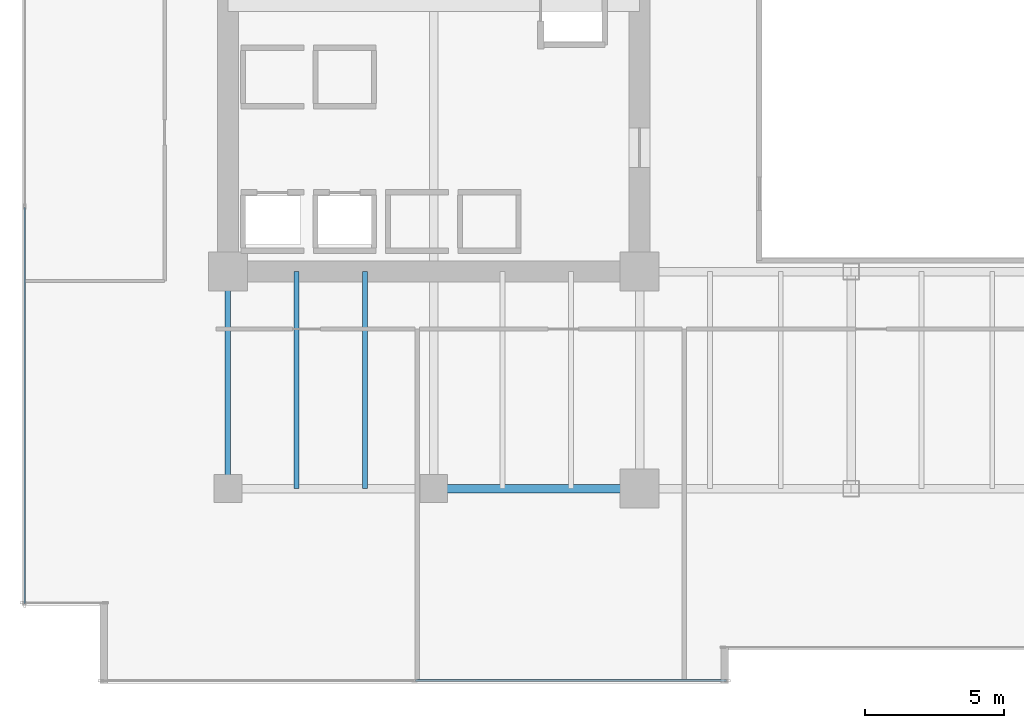
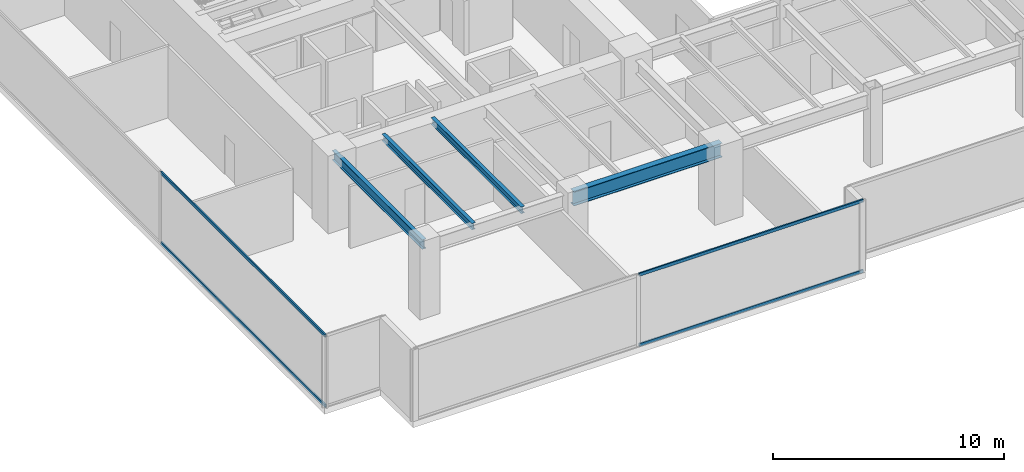
# One storey, part 3 of 35: 4 beams, 4 members, 2 elements without a shape of their own.
"""IFC4 building model written with IfcOpenShell, lengths in metres."""

from ifc_helpers import new_model, si_unit, direction, frame, origin, origin_2d, place, context, subcontext, project, spatial, hollow_rectangle, i_section, extrude, source, transform, mapped, material, layer, layer_set, material_profile, profile_set, type_object, type_shapes, element, aggregate, save


model = new_model("IFC4")

# Units and contexts
model_context = context("Model", 3, precision=1e-05, world=origin(), true_north=direction((0.0, 1.0)))
body_context = subcontext(model_context, "Body", "Model", "MODEL_VIEW")
ifc_project = project(units=[si_unit("LENGTHUNIT", "METRE"), si_unit("AREAUNIT", "SQUARE_METRE"), si_unit("VOLUMEUNIT", "CUBIC_METRE"), si_unit("PLANEANGLEUNIT", "RADIAN"), si_unit("MASSUNIT", "GRAM", prefix="KILO")], contexts=[model_context])

# Site, building, storey
site_placement = place(None, origin())
site = spatial("IfcSite", under=ifc_project, at=site_placement, CompositionType="ELEMENT")
building_placement = place(site_placement, origin())
building = spatial("IfcBuilding", under=site, at=building_placement, Name="Haelvirn Gate Laboratories", CompositionType="ELEMENT")
storey_placement = place(building_placement, frame((0.0, 0.0, 45.699951171875)))
storey = spatial("IfcBuildingStorey", under=building, at=storey_placement, Name="L11", CompositionType="ELEMENT", Elevation=45.699951171875)

# Beams
ifc_material_1 = material(Name="Steel SM355", Category="steel")
ifc_material_profile_1 = material_profile(ifc_material_1, i_section(OverallWidth=0.300048828125, OverallDepth=0.75, WebThickness=0.013916015625, FlangeThickness=0.02392578125, at=origin_2d()), Name="H-750x300x14x24")
ifc_profile_set_1 = profile_set([ifc_material_profile_1], Name="Steel SM355")
beam_type_1 = type_object("IfcBeamType", Name="BM-G-750", PredefinedType="BEAM", material=ifc_profile_set_1)
shared_shape_1 = source(origin(), body_context, "Body", "SweptSolid", [
    extrude(i_section(OverallWidth=0.300048828125, OverallDepth=0.75, WebThickness=0.013916015625, FlangeThickness=0.02392578125, at=origin_2d()), origin(), (0.0, 0.0, 1.0), 7.39990234375),
])
type_shapes(beam_type_1, [shared_shape_1])
beam_1_placement = place(storey_placement, frame((14.800048828125, 7.0, 3.405029296875), z_axis=(1.0, 0.0, 0.0), x_axis=(0.0, 1.0, 0.0)))
element("IfcBeam", 1, at=beam_1_placement, inside=storey, type_object=beam_type_1, Name="L11 Primary Girder Y7.0 (14.8-22.2)", PredefinedType="BEAM", context=body_context, shape_type="MappedRepresentation", body=[
    mapped(shared_shape_1, transform((0.0, 0.0, 0.0), scale=1.0)),
])
ifc_material_profile_2 = material_profile(ifc_material_1, i_section(OverallWidth=0.199951171875, OverallDepth=0.5, WebThickness=0.010009765625, FlangeThickness=0.01611328125, at=origin_2d()), Name="H-500x200x10x16")
ifc_profile_set_2 = profile_set([ifc_material_profile_2], Name="Steel SM355")
beam_type_2 = type_object("IfcBeamType", Name="BM-SP-500", PredefinedType="SPANDREL", material=ifc_profile_set_2)
shared_shape_2 = source(origin(), body_context, "Body", "SweptSolid", [
    extrude(i_section(OverallWidth=0.199951171875, OverallDepth=0.5, WebThickness=0.010009765625, FlangeThickness=0.01611328125, at=origin_2d()), origin(), (0.0, 0.0, 1.0), 7.800048828125),
])
type_shapes(beam_type_2, [shared_shape_2])
beam_2_placement = place(storey_placement, frame((7.39990234375, 7.0, 3.530029296875), z_axis=(0.0, 1.0, 0.0), x_axis=(-1.0, 0.0, 0.0)))
element("IfcBeam", 2, at=beam_2_placement, inside=storey, type_object=beam_type_2, Name="L11 Perimeter Spandrel X7.4 (7.0-14.8)", PredefinedType="SPANDREL", context=body_context, shape_type="MappedRepresentation", body=[
    mapped(shared_shape_2, transform((0.0, 0.0, 0.0), scale=1.0)),
])
ifc_material_profile_3 = material_profile(ifc_material_1, i_section(OverallWidth=0.175048828125, OverallDepth=0.35009765625, WebThickness=0.007080078125, FlangeThickness=0.010986328125, at=origin_2d()), Name="H-350x175x7x11")
ifc_profile_set_3 = profile_set([ifc_material_profile_3], Name="Steel SM355")
beam_type_3 = type_object("IfcBeamType", Name="BM-J-350", PredefinedType="JOIST", material=ifc_profile_set_3)
shared_shape_3 = source(origin(), body_context, "Body", "SweptSolid", [
    extrude(i_section(OverallWidth=0.175048828125, OverallDepth=0.35009765625, WebThickness=0.007080078125, FlangeThickness=0.010986328125, at=origin_2d()), origin(), (0.0, 0.0, 1.0), 7.800048828125),
])
type_shapes(beam_type_3, [shared_shape_3])
for number, where, z_axis, x_axis, name in (
    (3, (9.8701171875, 7.0, 3.60498046875), (0.0, 1.0, 0.0), (-1.0, 0.0, 0.0), "L11 Composite Lab Joist South X9.87"),
    (4, (12.330078125, 7.0, 3.60498046875), (0.0, 1.0, 0.0), (-1.0, 0.0, 0.0), "L11 Composite Lab Joist South X12.33"),
):
    element("IfcBeam", number, at=place(storey_placement, frame(where, z_axis=z_axis, x_axis=x_axis)), inside=storey, type_object=beam_type_3, Name=name, PredefinedType="JOIST", context=body_context, shape_type="MappedRepresentation", body=[
        mapped(shared_shape_3, transform((0.0, 0.0, 0.0), scale=1.0)),
    ])

# Curtain wall, members
ifc_material_2 = material(Name="Anodised bronze unitised aluminium & triple low-E glass", Category="aluminium")
ifc_layer = layer(ifc_material_2, 0.18408203125, Name="CW-SYS-2")
ifc_layer_set = layer_set([ifc_layer], Name="Anodised bronze unitised aluminium & triple low-E glass")
curtain_wall_type = type_object("IfcCurtainWallType", Name="CW-SYS-2", PredefinedType="NOTDEFINED", material=ifc_layer_set)
curtain_wall_1_placement = place(storey_placement, origin())
curtain_wall_1 = element("IfcCurtainWall", 5, at=curtain_wall_1_placement, inside=storey, type_object=curtain_wall_type, Name="L11 Unitised Curtain Wall CW-L11-P0-E00-1", PredefinedType="NOTDEFINED")
ifc_material_3 = material(Name="Extruded aluminium 6063-T6 (anodised bronze)", Category="aluminium")
ifc_material_profile_4 = material_profile(ifc_material_3, hollow_rectangle(XDim=0.070068359375, YDim=0.159912109375, WallThickness=0.0048828125, at=origin_2d()), Name="CWT-160x70x5")
ifc_profile_set_4 = profile_set([ifc_material_profile_4], Name="Extruded aluminium 6063-T6 (anodised bronze)")
member_type = type_object("IfcMemberType", Name="CWT-T160", PredefinedType="USERDEFINED", material=ifc_profile_set_4)
shared_shape_4 = source(origin(), body_context, "Body", "SweptSolid", [
    extrude(hollow_rectangle(XDim=0.070068359375, YDim=0.159912109375, WallThickness=0.0048828125, at=origin_2d()), origin(), (0.0, 0.0, 1.0), 11.1875),
])
member_1_placement = place(storey_placement, frame((14.137451171875, 0.10009765625, 0.03515625), z_axis=(1.0, 0.0, 0.0), x_axis=(0.0, 1.0, 0.0)))
member_1 = element("IfcMember", 6, at=member_1_placement, type_object=member_type, Name="CW2 transom 2.1", ObjectType="TRANSOM", PredefinedType="USERDEFINED", context=body_context, shape_type="MappedRepresentation", body=[
    mapped(shared_shape_4, transform((0.0, 0.0, 0.0), scale=1.0)),
])
member_2_placement = place(storey_placement, frame((14.137451171875, 0.10009765625, 3.7451171875), z_axis=(1.0, 0.0, 0.0), x_axis=(0.0, 1.0, 0.0)))
member_2 = element("IfcMember", 7, at=member_2_placement, type_object=member_type, Name="CW2 transom 2.2", ObjectType="TRANSOM", PredefinedType="USERDEFINED", context=body_context, shape_type="MappedRepresentation", body=[
    mapped(shared_shape_4, transform((0.0, 0.0, 0.0), scale=1.0)),
])
aggregate(curtain_wall_1, [member_1, member_2])

curtain_wall_2_placement = place(storey_placement, origin())
curtain_wall_2 = element("IfcCurtainWall", 8, at=curtain_wall_2_placement, inside=storey, type_object=curtain_wall_type, Name="L11 Unitised Curtain Wall CW-L11-P0-E17", PredefinedType="NOTDEFINED")
shared_shape_5 = source(origin(), body_context, "Body", "SweptSolid", [
    extrude(hollow_rectangle(XDim=0.070068359375, YDim=0.159912109375, WallThickness=0.0048828125, at=origin_2d()), origin(), (0.0, 0.0, 1.0), 14.220947265625),
])
type_shapes(member_type, [shared_shape_4, shared_shape_5])
member_3_placement = place(storey_placement, frame((0.10009765625, 17.095947265625, 0.03515625), z_axis=(0.0, -1.0, 0.0), x_axis=(1.0, 0.0, 0.0)))
member_3 = element("IfcMember", 9, at=member_3_placement, type_object=member_type, Name="CW2 transom 3.1", ObjectType="TRANSOM", PredefinedType="USERDEFINED", context=body_context, shape_type="MappedRepresentation", body=[
    mapped(shared_shape_5, transform((0.0, 0.0, 0.0), scale=1.0)),
])
member_4_placement = place(storey_placement, frame((0.10009765625, 17.095947265625, 3.7451171875), z_axis=(0.0, -1.0, 0.0), x_axis=(1.0, 0.0, 0.0)))
member_4 = element("IfcMember", 10, at=member_4_placement, type_object=member_type, Name="CW2 transom 3.2", ObjectType="TRANSOM", PredefinedType="USERDEFINED", context=body_context, shape_type="MappedRepresentation", body=[
    mapped(shared_shape_5, transform((0.0, 0.0, 0.0), scale=1.0)),
])
aggregate(curtain_wall_2, [member_3, member_4])

save(model, "model.ifc")
